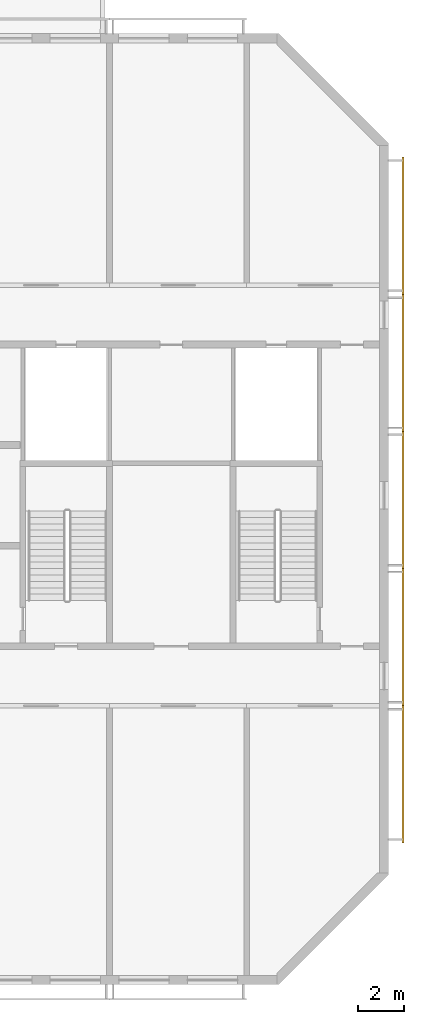
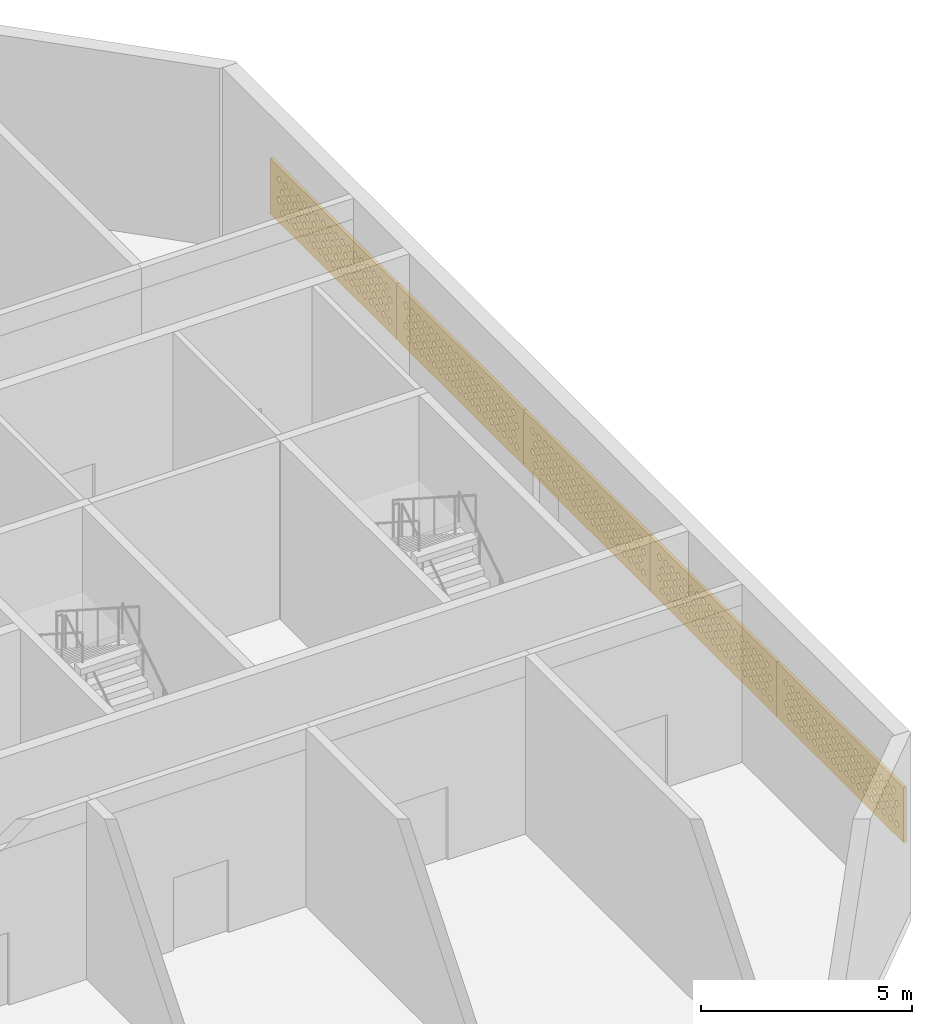
# One storey, part 18 of 18: 5 coverings.
"""IFC4 building model written with IfcOpenShell, lengths in metres."""

from ifc_helpers import new_model, si_unit, direction, frame, origin, place, context, subcontext, project, spatial, polyline, outline, extrude, source, transform, mapped, material, material_profile, profile_set, type_object, element, save


model = new_model("IFC4")

# Units and contexts
model_context = context("Model", 3, precision=1e-05, world=origin(), true_north=direction((0.0, 1.0)))
body_context = subcontext(model_context, "Body", "Model", "MODEL_VIEW")
ifc_project = project(units=[si_unit("LENGTHUNIT", "METRE"), si_unit("AREAUNIT", "SQUARE_METRE"), si_unit("VOLUMEUNIT", "CUBIC_METRE"), si_unit("PLANEANGLEUNIT", "RADIAN"), si_unit("MASSUNIT", "GRAM", prefix="KILO")], contexts=[model_context])

# Site, building, storey
site_placement = place(None, origin())
site = spatial("IfcSite", under=ifc_project, at=site_placement, CompositionType="ELEMENT")
building_placement = place(site_placement, origin())
building = spatial("IfcBuilding", under=site, at=building_placement, Name="Poui Terraces", CompositionType="ELEMENT")
storey_placement = place(building_placement, frame((0.0, 0.0, 267.0)))
storey = spatial("IfcBuildingStorey", under=building, at=storey_placement, Name="L74", CompositionType="ELEMENT", Elevation=267.0)

# Coverings
ifc_material = material(Name="Terracotta screen", Category="masonry")
ifc_material_profile = material_profile(ifc_material, outline(polyline([(-3.0, -0.800048828125), (3.0, -0.800048828125), (3.0, 0.800048828125), (-3.0, 0.800048828125), (-3.0, -0.800048828125)]), holes=[polyline([(-2.800048828125, -0.449951171875), (-2.68994140625, -0.56005859375), (-2.580078125, -0.449951171875), (-2.68994140625, -0.340087890625), (-2.800048828125, -0.449951171875)]), polyline([(-2.5, -0.449951171875), (-2.389892578125, -0.56005859375), (-2.280029296875, -0.449951171875), (-2.389892578125, -0.340087890625), (-2.5, -0.449951171875)]), polyline([(-2.199951171875, -0.449951171875), (-2.090087890625, -0.56005859375), (-1.97998046875, -0.449951171875), (-2.090087890625, -0.340087890625), (-2.199951171875, -0.449951171875)]), polyline([(-1.89990234375, -0.449951171875), (-1.7900390625, -0.56005859375), (-1.679931640625, -0.449951171875), (-1.7900390625, -0.340087890625), (-1.89990234375, -0.449951171875)]), polyline([(-1.60009765625, -0.449951171875), (-1.489990234375, -0.56005859375), (-1.3798828125, -0.449951171875), (-1.489990234375, -0.340087890625), (-1.60009765625, -0.449951171875)]), polyline([(-1.300048828125, -0.449951171875), (-1.18994140625, -0.56005859375), (-1.080078125, -0.449951171875), (-1.18994140625, -0.340087890625), (-1.300048828125, -0.449951171875)]), polyline([(-1.0, -0.449951171875), (-0.889892578125, -0.56005859375), (-0.780029296875, -0.449951171875), (-0.889892578125, -0.340087890625), (-1.0, -0.449951171875)]), polyline([(-0.699951171875, -0.449951171875), (-0.590087890625, -0.56005859375), (-0.47998046875, -0.449951171875), (-0.590087890625, -0.340087890625), (-0.699951171875, -0.449951171875)]), polyline([(-0.39990234375, -0.449951171875), (-0.2900390625, -0.56005859375), (-0.179931640625, -0.449951171875), (-0.2900390625, -0.340087890625), (-0.39990234375, -0.449951171875)]), polyline([(-0.10009765625, -0.449951171875), (0.010009765625, -0.56005859375), (0.1201171875, -0.449951171875), (0.010009765625, -0.340087890625), (-0.10009765625, -0.449951171875)]), polyline([(0.199951171875, -0.449951171875), (0.31005859375, -0.56005859375), (0.419921875, -0.449951171875), (0.31005859375, -0.340087890625), (0.199951171875, -0.449951171875)]), polyline([(0.5, -0.449951171875), (0.610107421875, -0.56005859375), (0.719970703125, -0.449951171875), (0.610107421875, -0.340087890625), (0.5, -0.449951171875)]), polyline([(0.800048828125, -0.449951171875), (0.909912109375, -0.56005859375), (1.02001953125, -0.449951171875), (0.909912109375, -0.340087890625), (0.800048828125, -0.449951171875)]), polyline([(1.10009765625, -0.449951171875), (1.2099609375, -0.56005859375), (1.320068359375, -0.449951171875), (1.2099609375, -0.340087890625), (1.10009765625, -0.449951171875)]), polyline([(1.39990234375, -0.449951171875), (1.510009765625, -0.56005859375), (1.6201171875, -0.449951171875), (1.510009765625, -0.340087890625), (1.39990234375, -0.449951171875)]), polyline([(1.699951171875, -0.449951171875), (1.81005859375, -0.56005859375), (1.919921875, -0.449951171875), (1.81005859375, -0.340087890625), (1.699951171875, -0.449951171875)]), polyline([(2.0, -0.449951171875), (2.110107421875, -0.56005859375), (2.219970703125, -0.449951171875), (2.110107421875, -0.340087890625), (2.0, -0.449951171875)]), polyline([(2.300048828125, -0.449951171875), (2.409912109375, -0.56005859375), (2.52001953125, -0.449951171875), (2.409912109375, -0.340087890625), (2.300048828125, -0.449951171875)]), polyline([(-2.64990234375, -0.14990234375), (-2.5400390625, -0.260009765625), (-2.429931640625, -0.14990234375), (-2.5400390625, -0.0400390625), (-2.64990234375, -0.14990234375)]), polyline([(-2.35009765625, -0.14990234375), (-2.239990234375, -0.260009765625), (-2.1298828125, -0.14990234375), (-2.239990234375, -0.0400390625), (-2.35009765625, -0.14990234375)]), polyline([(-2.050048828125, -0.14990234375), (-1.93994140625, -0.260009765625), (-1.830078125, -0.14990234375), (-1.93994140625, -0.0400390625), (-2.050048828125, -0.14990234375)]), polyline([(-1.75, -0.14990234375), (-1.639892578125, -0.260009765625), (-1.530029296875, -0.14990234375), (-1.639892578125, -0.0400390625), (-1.75, -0.14990234375)]), polyline([(-1.449951171875, -0.14990234375), (-1.340087890625, -0.260009765625), (-1.22998046875, -0.14990234375), (-1.340087890625, -0.0400390625), (-1.449951171875, -0.14990234375)]), polyline([(-1.14990234375, -0.14990234375), (-1.0400390625, -0.260009765625), (-0.929931640625, -0.14990234375), (-1.0400390625, -0.0400390625), (-1.14990234375, -0.14990234375)]), polyline([(-0.85009765625, -0.14990234375), (-0.739990234375, -0.260009765625), (-0.6298828125, -0.14990234375), (-0.739990234375, -0.0400390625), (-0.85009765625, -0.14990234375)]), polyline([(-0.550048828125, -0.14990234375), (-0.43994140625, -0.260009765625), (-0.330078125, -0.14990234375), (-0.43994140625, -0.0400390625), (-0.550048828125, -0.14990234375)]), polyline([(-0.25, -0.14990234375), (-0.139892578125, -0.260009765625), (-0.030029296875, -0.14990234375), (-0.139892578125, -0.0400390625), (-0.25, -0.14990234375)]), polyline([(0.050048828125, -0.14990234375), (0.159912109375, -0.260009765625), (0.27001953125, -0.14990234375), (0.159912109375, -0.0400390625), (0.050048828125, -0.14990234375)]), polyline([(0.35009765625, -0.14990234375), (0.4599609375, -0.260009765625), (0.570068359375, -0.14990234375), (0.4599609375, -0.0400390625), (0.35009765625, -0.14990234375)]), polyline([(0.64990234375, -0.14990234375), (0.760009765625, -0.260009765625), (0.8701171875, -0.14990234375), (0.760009765625, -0.0400390625), (0.64990234375, -0.14990234375)]), polyline([(0.949951171875, -0.14990234375), (1.06005859375, -0.260009765625), (1.169921875, -0.14990234375), (1.06005859375, -0.0400390625), (0.949951171875, -0.14990234375)]), polyline([(1.25, -0.14990234375), (1.360107421875, -0.260009765625), (1.469970703125, -0.14990234375), (1.360107421875, -0.0400390625), (1.25, -0.14990234375)]), polyline([(1.550048828125, -0.14990234375), (1.659912109375, -0.260009765625), (1.77001953125, -0.14990234375), (1.659912109375, -0.0400390625), (1.550048828125, -0.14990234375)]), polyline([(1.85009765625, -0.14990234375), (1.9599609375, -0.260009765625), (2.070068359375, -0.14990234375), (1.9599609375, -0.0400390625), (1.85009765625, -0.14990234375)]), polyline([(2.14990234375, -0.14990234375), (2.260009765625, -0.260009765625), (2.3701171875, -0.14990234375), (2.260009765625, -0.0400390625), (2.14990234375, -0.14990234375)]), polyline([(2.449951171875, -0.14990234375), (2.56005859375, -0.260009765625), (2.669921875, -0.14990234375), (2.56005859375, -0.0400390625), (2.449951171875, -0.14990234375)]), polyline([(-2.800048828125, 0.14990234375), (-2.68994140625, 0.0400390625), (-2.580078125, 0.14990234375), (-2.68994140625, 0.260009765625), (-2.800048828125, 0.14990234375)]), polyline([(-2.5, 0.14990234375), (-2.389892578125, 0.0400390625), (-2.280029296875, 0.14990234375), (-2.389892578125, 0.260009765625), (-2.5, 0.14990234375)]), polyline([(-2.199951171875, 0.14990234375), (-2.090087890625, 0.0400390625), (-1.97998046875, 0.14990234375), (-2.090087890625, 0.260009765625), (-2.199951171875, 0.14990234375)]), polyline([(-1.89990234375, 0.14990234375), (-1.7900390625, 0.0400390625), (-1.679931640625, 0.14990234375), (-1.7900390625, 0.260009765625), (-1.89990234375, 0.14990234375)]), polyline([(-1.60009765625, 0.14990234375), (-1.489990234375, 0.0400390625), (-1.3798828125, 0.14990234375), (-1.489990234375, 0.260009765625), (-1.60009765625, 0.14990234375)]), polyline([(-1.300048828125, 0.14990234375), (-1.18994140625, 0.0400390625), (-1.080078125, 0.14990234375), (-1.18994140625, 0.260009765625), (-1.300048828125, 0.14990234375)]), polyline([(-1.0, 0.14990234375), (-0.889892578125, 0.0400390625), (-0.780029296875, 0.14990234375), (-0.889892578125, 0.260009765625), (-1.0, 0.14990234375)]), polyline([(-0.699951171875, 0.14990234375), (-0.590087890625, 0.0400390625), (-0.47998046875, 0.14990234375), (-0.590087890625, 0.260009765625), (-0.699951171875, 0.14990234375)]), polyline([(-0.39990234375, 0.14990234375), (-0.2900390625, 0.0400390625), (-0.179931640625, 0.14990234375), (-0.2900390625, 0.260009765625), (-0.39990234375, 0.14990234375)]), polyline([(-0.10009765625, 0.14990234375), (0.010009765625, 0.0400390625), (0.1201171875, 0.14990234375), (0.010009765625, 0.260009765625), (-0.10009765625, 0.14990234375)]), polyline([(0.199951171875, 0.14990234375), (0.31005859375, 0.0400390625), (0.419921875, 0.14990234375), (0.31005859375, 0.260009765625), (0.199951171875, 0.14990234375)]), polyline([(0.5, 0.14990234375), (0.610107421875, 0.0400390625), (0.719970703125, 0.14990234375), (0.610107421875, 0.260009765625), (0.5, 0.14990234375)]), polyline([(0.800048828125, 0.14990234375), (0.909912109375, 0.0400390625), (1.02001953125, 0.14990234375), (0.909912109375, 0.260009765625), (0.800048828125, 0.14990234375)]), polyline([(1.10009765625, 0.14990234375), (1.2099609375, 0.0400390625), (1.320068359375, 0.14990234375), (1.2099609375, 0.260009765625), (1.10009765625, 0.14990234375)]), polyline([(1.39990234375, 0.14990234375), (1.510009765625, 0.0400390625), (1.6201171875, 0.14990234375), (1.510009765625, 0.260009765625), (1.39990234375, 0.14990234375)]), polyline([(1.699951171875, 0.14990234375), (1.81005859375, 0.0400390625), (1.919921875, 0.14990234375), (1.81005859375, 0.260009765625), (1.699951171875, 0.14990234375)]), polyline([(2.0, 0.14990234375), (2.110107421875, 0.0400390625), (2.219970703125, 0.14990234375), (2.110107421875, 0.260009765625), (2.0, 0.14990234375)]), polyline([(2.300048828125, 0.14990234375), (2.409912109375, 0.0400390625), (2.52001953125, 0.14990234375), (2.409912109375, 0.260009765625), (2.300048828125, 0.14990234375)]), polyline([(-2.64990234375, 0.449951171875), (-2.5400390625, 0.340087890625), (-2.429931640625, 0.449951171875), (-2.5400390625, 0.56005859375), (-2.64990234375, 0.449951171875)]), polyline([(-2.35009765625, 0.449951171875), (-2.239990234375, 0.340087890625), (-2.1298828125, 0.449951171875), (-2.239990234375, 0.56005859375), (-2.35009765625, 0.449951171875)]), polyline([(-2.050048828125, 0.449951171875), (-1.93994140625, 0.340087890625), (-1.830078125, 0.449951171875), (-1.93994140625, 0.56005859375), (-2.050048828125, 0.449951171875)]), polyline([(-1.75, 0.449951171875), (-1.639892578125, 0.340087890625), (-1.530029296875, 0.449951171875), (-1.639892578125, 0.56005859375), (-1.75, 0.449951171875)]), polyline([(-1.449951171875, 0.449951171875), (-1.340087890625, 0.340087890625), (-1.22998046875, 0.449951171875), (-1.340087890625, 0.56005859375), (-1.449951171875, 0.449951171875)]), polyline([(-1.14990234375, 0.449951171875), (-1.0400390625, 0.340087890625), (-0.929931640625, 0.449951171875), (-1.0400390625, 0.56005859375), (-1.14990234375, 0.449951171875)]), polyline([(-0.85009765625, 0.449951171875), (-0.739990234375, 0.340087890625), (-0.6298828125, 0.449951171875), (-0.739990234375, 0.56005859375), (-0.85009765625, 0.449951171875)]), polyline([(-0.550048828125, 0.449951171875), (-0.43994140625, 0.340087890625), (-0.330078125, 0.449951171875), (-0.43994140625, 0.56005859375), (-0.550048828125, 0.449951171875)]), polyline([(-0.25, 0.449951171875), (-0.139892578125, 0.340087890625), (-0.030029296875, 0.449951171875), (-0.139892578125, 0.56005859375), (-0.25, 0.449951171875)]), polyline([(0.050048828125, 0.449951171875), (0.159912109375, 0.340087890625), (0.27001953125, 0.449951171875), (0.159912109375, 0.56005859375), (0.050048828125, 0.449951171875)]), polyline([(0.35009765625, 0.449951171875), (0.4599609375, 0.340087890625), (0.570068359375, 0.449951171875), (0.4599609375, 0.56005859375), (0.35009765625, 0.449951171875)]), polyline([(0.64990234375, 0.449951171875), (0.760009765625, 0.340087890625), (0.8701171875, 0.449951171875), (0.760009765625, 0.56005859375), (0.64990234375, 0.449951171875)]), polyline([(0.949951171875, 0.449951171875), (1.06005859375, 0.340087890625), (1.169921875, 0.449951171875), (1.06005859375, 0.56005859375), (0.949951171875, 0.449951171875)]), polyline([(1.25, 0.449951171875), (1.360107421875, 0.340087890625), (1.469970703125, 0.449951171875), (1.360107421875, 0.56005859375), (1.25, 0.449951171875)]), polyline([(1.550048828125, 0.449951171875), (1.659912109375, 0.340087890625), (1.77001953125, 0.449951171875), (1.659912109375, 0.56005859375), (1.550048828125, 0.449951171875)]), polyline([(1.85009765625, 0.449951171875), (1.9599609375, 0.340087890625), (2.070068359375, 0.449951171875), (1.9599609375, 0.56005859375), (1.85009765625, 0.449951171875)]), polyline([(2.14990234375, 0.449951171875), (2.260009765625, 0.340087890625), (2.3701171875, 0.449951171875), (2.260009765625, 0.56005859375), (2.14990234375, 0.449951171875)]), polyline([(2.449951171875, 0.449951171875), (2.56005859375, 0.340087890625), (2.669921875, 0.449951171875), (2.56005859375, 0.56005859375), (2.449951171875, 0.449951171875)])]), Name="TERRACOTTA SOLAR SCREEN 6000X1600")
ifc_profile_set = profile_set([ifc_material_profile], Name="Terracotta screen")
covering_type = type_object("IfcCoveringType", Name="TERRACOTTA SOLAR SCREEN 6000X1600", PredefinedType="CLADDING", material=ifc_profile_set)
shared_shape = source(origin(), body_context, "Body", "SweptSolid", [
    extrude(outline(polyline([(-3.0, -0.800048828125), (3.0, -0.800048828125), (3.0, 0.800048828125), (-3.0, 0.800048828125), (-3.0, -0.800048828125)]), holes=[polyline([(-2.800048828125, -0.449951171875), (-2.68994140625, -0.56005859375), (-2.580078125, -0.449951171875), (-2.68994140625, -0.340087890625), (-2.800048828125, -0.449951171875)]), polyline([(-2.5, -0.449951171875), (-2.389892578125, -0.56005859375), (-2.280029296875, -0.449951171875), (-2.389892578125, -0.340087890625), (-2.5, -0.449951171875)]), polyline([(-2.199951171875, -0.449951171875), (-2.090087890625, -0.56005859375), (-1.97998046875, -0.449951171875), (-2.090087890625, -0.340087890625), (-2.199951171875, -0.449951171875)]), polyline([(-1.89990234375, -0.449951171875), (-1.7900390625, -0.56005859375), (-1.679931640625, -0.449951171875), (-1.7900390625, -0.340087890625), (-1.89990234375, -0.449951171875)]), polyline([(-1.60009765625, -0.449951171875), (-1.489990234375, -0.56005859375), (-1.3798828125, -0.449951171875), (-1.489990234375, -0.340087890625), (-1.60009765625, -0.449951171875)]), polyline([(-1.300048828125, -0.449951171875), (-1.18994140625, -0.56005859375), (-1.080078125, -0.449951171875), (-1.18994140625, -0.340087890625), (-1.300048828125, -0.449951171875)]), polyline([(-1.0, -0.449951171875), (-0.889892578125, -0.56005859375), (-0.780029296875, -0.449951171875), (-0.889892578125, -0.340087890625), (-1.0, -0.449951171875)]), polyline([(-0.699951171875, -0.449951171875), (-0.590087890625, -0.56005859375), (-0.47998046875, -0.449951171875), (-0.590087890625, -0.340087890625), (-0.699951171875, -0.449951171875)]), polyline([(-0.39990234375, -0.449951171875), (-0.2900390625, -0.56005859375), (-0.179931640625, -0.449951171875), (-0.2900390625, -0.340087890625), (-0.39990234375, -0.449951171875)]), polyline([(-0.10009765625, -0.449951171875), (0.010009765625, -0.56005859375), (0.1201171875, -0.449951171875), (0.010009765625, -0.340087890625), (-0.10009765625, -0.449951171875)]), polyline([(0.199951171875, -0.449951171875), (0.31005859375, -0.56005859375), (0.419921875, -0.449951171875), (0.31005859375, -0.340087890625), (0.199951171875, -0.449951171875)]), polyline([(0.5, -0.449951171875), (0.610107421875, -0.56005859375), (0.719970703125, -0.449951171875), (0.610107421875, -0.340087890625), (0.5, -0.449951171875)]), polyline([(0.800048828125, -0.449951171875), (0.909912109375, -0.56005859375), (1.02001953125, -0.449951171875), (0.909912109375, -0.340087890625), (0.800048828125, -0.449951171875)]), polyline([(1.10009765625, -0.449951171875), (1.2099609375, -0.56005859375), (1.320068359375, -0.449951171875), (1.2099609375, -0.340087890625), (1.10009765625, -0.449951171875)]), polyline([(1.39990234375, -0.449951171875), (1.510009765625, -0.56005859375), (1.6201171875, -0.449951171875), (1.510009765625, -0.340087890625), (1.39990234375, -0.449951171875)]), polyline([(1.699951171875, -0.449951171875), (1.81005859375, -0.56005859375), (1.919921875, -0.449951171875), (1.81005859375, -0.340087890625), (1.699951171875, -0.449951171875)]), polyline([(2.0, -0.449951171875), (2.110107421875, -0.56005859375), (2.219970703125, -0.449951171875), (2.110107421875, -0.340087890625), (2.0, -0.449951171875)]), polyline([(2.300048828125, -0.449951171875), (2.409912109375, -0.56005859375), (2.52001953125, -0.449951171875), (2.409912109375, -0.340087890625), (2.300048828125, -0.449951171875)]), polyline([(-2.64990234375, -0.14990234375), (-2.5400390625, -0.260009765625), (-2.429931640625, -0.14990234375), (-2.5400390625, -0.0400390625), (-2.64990234375, -0.14990234375)]), polyline([(-2.35009765625, -0.14990234375), (-2.239990234375, -0.260009765625), (-2.1298828125, -0.14990234375), (-2.239990234375, -0.0400390625), (-2.35009765625, -0.14990234375)]), polyline([(-2.050048828125, -0.14990234375), (-1.93994140625, -0.260009765625), (-1.830078125, -0.14990234375), (-1.93994140625, -0.0400390625), (-2.050048828125, -0.14990234375)]), polyline([(-1.75, -0.14990234375), (-1.639892578125, -0.260009765625), (-1.530029296875, -0.14990234375), (-1.639892578125, -0.0400390625), (-1.75, -0.14990234375)]), polyline([(-1.449951171875, -0.14990234375), (-1.340087890625, -0.260009765625), (-1.22998046875, -0.14990234375), (-1.340087890625, -0.0400390625), (-1.449951171875, -0.14990234375)]), polyline([(-1.14990234375, -0.14990234375), (-1.0400390625, -0.260009765625), (-0.929931640625, -0.14990234375), (-1.0400390625, -0.0400390625), (-1.14990234375, -0.14990234375)]), polyline([(-0.85009765625, -0.14990234375), (-0.739990234375, -0.260009765625), (-0.6298828125, -0.14990234375), (-0.739990234375, -0.0400390625), (-0.85009765625, -0.14990234375)]), polyline([(-0.550048828125, -0.14990234375), (-0.43994140625, -0.260009765625), (-0.330078125, -0.14990234375), (-0.43994140625, -0.0400390625), (-0.550048828125, -0.14990234375)]), polyline([(-0.25, -0.14990234375), (-0.139892578125, -0.260009765625), (-0.030029296875, -0.14990234375), (-0.139892578125, -0.0400390625), (-0.25, -0.14990234375)]), polyline([(0.050048828125, -0.14990234375), (0.159912109375, -0.260009765625), (0.27001953125, -0.14990234375), (0.159912109375, -0.0400390625), (0.050048828125, -0.14990234375)]), polyline([(0.35009765625, -0.14990234375), (0.4599609375, -0.260009765625), (0.570068359375, -0.14990234375), (0.4599609375, -0.0400390625), (0.35009765625, -0.14990234375)]), polyline([(0.64990234375, -0.14990234375), (0.760009765625, -0.260009765625), (0.8701171875, -0.14990234375), (0.760009765625, -0.0400390625), (0.64990234375, -0.14990234375)]), polyline([(0.949951171875, -0.14990234375), (1.06005859375, -0.260009765625), (1.169921875, -0.14990234375), (1.06005859375, -0.0400390625), (0.949951171875, -0.14990234375)]), polyline([(1.25, -0.14990234375), (1.360107421875, -0.260009765625), (1.469970703125, -0.14990234375), (1.360107421875, -0.0400390625), (1.25, -0.14990234375)]), polyline([(1.550048828125, -0.14990234375), (1.659912109375, -0.260009765625), (1.77001953125, -0.14990234375), (1.659912109375, -0.0400390625), (1.550048828125, -0.14990234375)]), polyline([(1.85009765625, -0.14990234375), (1.9599609375, -0.260009765625), (2.070068359375, -0.14990234375), (1.9599609375, -0.0400390625), (1.85009765625, -0.14990234375)]), polyline([(2.14990234375, -0.14990234375), (2.260009765625, -0.260009765625), (2.3701171875, -0.14990234375), (2.260009765625, -0.0400390625), (2.14990234375, -0.14990234375)]), polyline([(2.449951171875, -0.14990234375), (2.56005859375, -0.260009765625), (2.669921875, -0.14990234375), (2.56005859375, -0.0400390625), (2.449951171875, -0.14990234375)]), polyline([(-2.800048828125, 0.14990234375), (-2.68994140625, 0.0400390625), (-2.580078125, 0.14990234375), (-2.68994140625, 0.260009765625), (-2.800048828125, 0.14990234375)]), polyline([(-2.5, 0.14990234375), (-2.389892578125, 0.0400390625), (-2.280029296875, 0.14990234375), (-2.389892578125, 0.260009765625), (-2.5, 0.14990234375)]), polyline([(-2.199951171875, 0.14990234375), (-2.090087890625, 0.0400390625), (-1.97998046875, 0.14990234375), (-2.090087890625, 0.260009765625), (-2.199951171875, 0.14990234375)]), polyline([(-1.89990234375, 0.14990234375), (-1.7900390625, 0.0400390625), (-1.679931640625, 0.14990234375), (-1.7900390625, 0.260009765625), (-1.89990234375, 0.14990234375)]), polyline([(-1.60009765625, 0.14990234375), (-1.489990234375, 0.0400390625), (-1.3798828125, 0.14990234375), (-1.489990234375, 0.260009765625), (-1.60009765625, 0.14990234375)]), polyline([(-1.300048828125, 0.14990234375), (-1.18994140625, 0.0400390625), (-1.080078125, 0.14990234375), (-1.18994140625, 0.260009765625), (-1.300048828125, 0.14990234375)]), polyline([(-1.0, 0.14990234375), (-0.889892578125, 0.0400390625), (-0.780029296875, 0.14990234375), (-0.889892578125, 0.260009765625), (-1.0, 0.14990234375)]), polyline([(-0.699951171875, 0.14990234375), (-0.590087890625, 0.0400390625), (-0.47998046875, 0.14990234375), (-0.590087890625, 0.260009765625), (-0.699951171875, 0.14990234375)]), polyline([(-0.39990234375, 0.14990234375), (-0.2900390625, 0.0400390625), (-0.179931640625, 0.14990234375), (-0.2900390625, 0.260009765625), (-0.39990234375, 0.14990234375)]), polyline([(-0.10009765625, 0.14990234375), (0.010009765625, 0.0400390625), (0.1201171875, 0.14990234375), (0.010009765625, 0.260009765625), (-0.10009765625, 0.14990234375)]), polyline([(0.199951171875, 0.14990234375), (0.31005859375, 0.0400390625), (0.419921875, 0.14990234375), (0.31005859375, 0.260009765625), (0.199951171875, 0.14990234375)]), polyline([(0.5, 0.14990234375), (0.610107421875, 0.0400390625), (0.719970703125, 0.14990234375), (0.610107421875, 0.260009765625), (0.5, 0.14990234375)]), polyline([(0.800048828125, 0.14990234375), (0.909912109375, 0.0400390625), (1.02001953125, 0.14990234375), (0.909912109375, 0.260009765625), (0.800048828125, 0.14990234375)]), polyline([(1.10009765625, 0.14990234375), (1.2099609375, 0.0400390625), (1.320068359375, 0.14990234375), (1.2099609375, 0.260009765625), (1.10009765625, 0.14990234375)]), polyline([(1.39990234375, 0.14990234375), (1.510009765625, 0.0400390625), (1.6201171875, 0.14990234375), (1.510009765625, 0.260009765625), (1.39990234375, 0.14990234375)]), polyline([(1.699951171875, 0.14990234375), (1.81005859375, 0.0400390625), (1.919921875, 0.14990234375), (1.81005859375, 0.260009765625), (1.699951171875, 0.14990234375)]), polyline([(2.0, 0.14990234375), (2.110107421875, 0.0400390625), (2.219970703125, 0.14990234375), (2.110107421875, 0.260009765625), (2.0, 0.14990234375)]), polyline([(2.300048828125, 0.14990234375), (2.409912109375, 0.0400390625), (2.52001953125, 0.14990234375), (2.409912109375, 0.260009765625), (2.300048828125, 0.14990234375)]), polyline([(-2.64990234375, 0.449951171875), (-2.5400390625, 0.340087890625), (-2.429931640625, 0.449951171875), (-2.5400390625, 0.56005859375), (-2.64990234375, 0.449951171875)]), polyline([(-2.35009765625, 0.449951171875), (-2.239990234375, 0.340087890625), (-2.1298828125, 0.449951171875), (-2.239990234375, 0.56005859375), (-2.35009765625, 0.449951171875)]), polyline([(-2.050048828125, 0.449951171875), (-1.93994140625, 0.340087890625), (-1.830078125, 0.449951171875), (-1.93994140625, 0.56005859375), (-2.050048828125, 0.449951171875)]), polyline([(-1.75, 0.449951171875), (-1.639892578125, 0.340087890625), (-1.530029296875, 0.449951171875), (-1.639892578125, 0.56005859375), (-1.75, 0.449951171875)]), polyline([(-1.449951171875, 0.449951171875), (-1.340087890625, 0.340087890625), (-1.22998046875, 0.449951171875), (-1.340087890625, 0.56005859375), (-1.449951171875, 0.449951171875)]), polyline([(-1.14990234375, 0.449951171875), (-1.0400390625, 0.340087890625), (-0.929931640625, 0.449951171875), (-1.0400390625, 0.56005859375), (-1.14990234375, 0.449951171875)]), polyline([(-0.85009765625, 0.449951171875), (-0.739990234375, 0.340087890625), (-0.6298828125, 0.449951171875), (-0.739990234375, 0.56005859375), (-0.85009765625, 0.449951171875)]), polyline([(-0.550048828125, 0.449951171875), (-0.43994140625, 0.340087890625), (-0.330078125, 0.449951171875), (-0.43994140625, 0.56005859375), (-0.550048828125, 0.449951171875)]), polyline([(-0.25, 0.449951171875), (-0.139892578125, 0.340087890625), (-0.030029296875, 0.449951171875), (-0.139892578125, 0.56005859375), (-0.25, 0.449951171875)]), polyline([(0.050048828125, 0.449951171875), (0.159912109375, 0.340087890625), (0.27001953125, 0.449951171875), (0.159912109375, 0.56005859375), (0.050048828125, 0.449951171875)]), polyline([(0.35009765625, 0.449951171875), (0.4599609375, 0.340087890625), (0.570068359375, 0.449951171875), (0.4599609375, 0.56005859375), (0.35009765625, 0.449951171875)]), polyline([(0.64990234375, 0.449951171875), (0.760009765625, 0.340087890625), (0.8701171875, 0.449951171875), (0.760009765625, 0.56005859375), (0.64990234375, 0.449951171875)]), polyline([(0.949951171875, 0.449951171875), (1.06005859375, 0.340087890625), (1.169921875, 0.449951171875), (1.06005859375, 0.56005859375), (0.949951171875, 0.449951171875)]), polyline([(1.25, 0.449951171875), (1.360107421875, 0.340087890625), (1.469970703125, 0.449951171875), (1.360107421875, 0.56005859375), (1.25, 0.449951171875)]), polyline([(1.550048828125, 0.449951171875), (1.659912109375, 0.340087890625), (1.77001953125, 0.449951171875), (1.659912109375, 0.56005859375), (1.550048828125, 0.449951171875)]), polyline([(1.85009765625, 0.449951171875), (1.9599609375, 0.340087890625), (2.070068359375, 0.449951171875), (1.9599609375, 0.56005859375), (1.85009765625, 0.449951171875)]), polyline([(2.14990234375, 0.449951171875), (2.260009765625, 0.340087890625), (2.3701171875, 0.449951171875), (2.260009765625, 0.56005859375), (2.14990234375, 0.449951171875)]), polyline([(2.449951171875, 0.449951171875), (2.56005859375, 0.340087890625), (2.669921875, 0.449951171875), (2.56005859375, 0.56005859375), (2.449951171875, 0.449951171875)])]), origin(), (0.0, 0.0, 1.0), 0.079833984375),
])
for number, where, z_axis, x_axis, name in (
    (1, (84.800048828125, 9.0, 1.699951171875), (1.0, 0.0, 0.0), (0.0, 1.0, 0.0), "SOLAR SCREEN"),
    (2, (84.800048828125, 15.0, 1.699951171875), (1.0, 0.0, 0.0), (0.0, 1.0, 0.0), "SOLAR SCREEN"),
    (3, (84.800048828125, 21.0, 1.699951171875), (1.0, 0.0, 0.0), (0.0, 1.0, 0.0), "SOLAR SCREEN"),
    (4, (84.800048828125, 27.0, 1.699951171875), (1.0, 0.0, 0.0), (0.0, 1.0, 0.0), "SOLAR SCREEN"),
    (5, (84.800048828125, 33.0, 1.699951171875), (1.0, 0.0, 0.0), (0.0, 1.0, 0.0), "SOLAR SCREEN"),
):
    element("IfcCovering", number, at=place(storey_placement, frame(where, z_axis=z_axis, x_axis=x_axis)), inside=storey, type_object=covering_type, Name=name, PredefinedType="CLADDING", context=body_context, shape_type="MappedRepresentation", body=[
        mapped(shared_shape, transform((0.0, 0.0, 0.0))),
    ])

save(model, "model.ifc")
